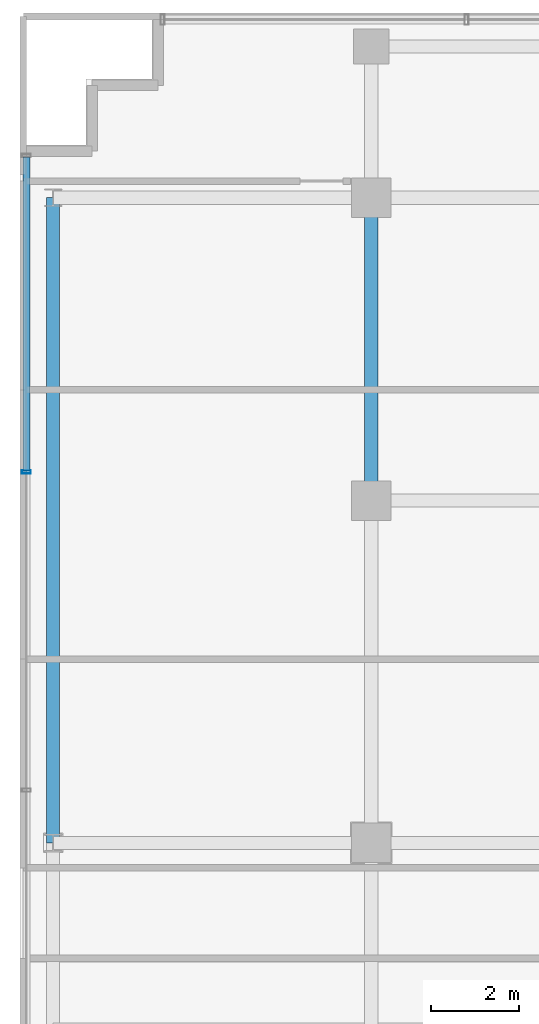
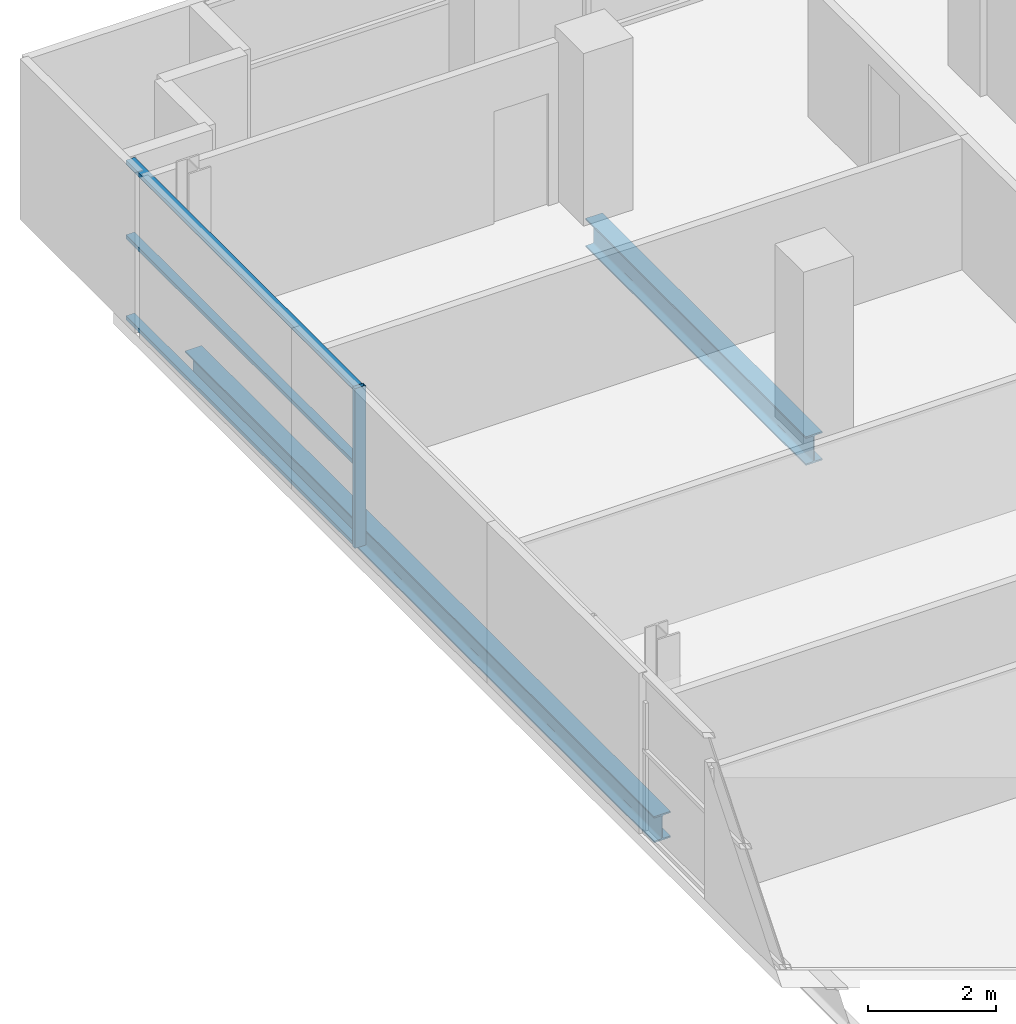
# One storey, part 9 of 27: 4 members, 2 beams, 1 element without a shape of its own.
"""IFC4 building model written with IfcOpenShell, lengths in metres."""

from ifc_helpers import new_model, si_unit, direction, frame, origin, origin_2d, place, context, subcontext, project, spatial, hollow_rectangle, i_section, extrude, source, transform, mapped, material, layer, layer_set, material_profile, profile_set, type_object, element, aggregate, save


model = new_model("IFC4")

# Units and contexts
model_context = context("Model", 3, precision=1e-05, world=origin(), true_north=direction((0.0, 1.0)))
body_context = subcontext(model_context, "Body", "Model", "MODEL_VIEW")
ifc_project = project(units=[si_unit("LENGTHUNIT", "METRE"), si_unit("AREAUNIT", "SQUARE_METRE"), si_unit("VOLUMEUNIT", "CUBIC_METRE"), si_unit("PLANEANGLEUNIT", "RADIAN"), si_unit("MASSUNIT", "GRAM", prefix="KILO")], contexts=[model_context])

# Site, building, storey
site_placement = place(None, origin())
site = spatial("IfcSite", under=ifc_project, at=site_placement, CompositionType="ELEMENT")
building_placement = place(site_placement, origin())
building = spatial("IfcBuilding", under=site, at=building_placement, Name="Zarnakvel Exchange Tower", CompositionType="ELEMENT")
storey_placement = place(building_placement, frame((0.0, 0.0, 106.60009765625)))
storey = spatial("IfcBuildingStorey", under=building, at=storey_placement, Name="L29", CompositionType="ELEMENT", Elevation=106.60009765625)

# Beams
ifc_material_1 = material(Name="Steel S355", Category="steel")
ifc_material_profile_1 = material_profile(ifc_material_1, i_section(OverallWidth=0.300048828125, OverallDepth=0.550048828125, WebThickness=0.014892578125, FlangeThickness=0.029052734375, FilletRadius=0.027099609375, at=origin_2d()))
ifc_profile_set_1 = profile_set([ifc_material_profile_1], Name="Steel S355")
beam_type_1 = type_object("IfcBeamType", Name="G-05", PredefinedType="BEAM", material=ifc_profile_set_1)
beam_1_placement = place(storey_placement, frame((-21.60009765625, 6.60009765625, -0.5), z_axis=(0.0, 1.0, 0.0), x_axis=(-1.0, 0.0, 0.0)))
element("IfcBeam", 1, at=beam_1_placement, inside=storey, type_object=beam_type_1, Name="L29 Tower N-S Frame Beam", PredefinedType="BEAM", context=body_context, shape_type="SweptSolid", body=[
    extrude(i_section(OverallWidth=0.300048828125, OverallDepth=0.550048828125, WebThickness=0.014892578125, FlangeThickness=0.029052734375, FilletRadius=0.027099609375, at=origin_2d()), origin(), (0.0, 0.0, 1.0), 6.89990234375),
])
ifc_material_profile_2 = material_profile(ifc_material_1, i_section(OverallWidth=0.300048828125, OverallDepth=0.5, WebThickness=0.014404296875, FlangeThickness=0.028076171875, FilletRadius=0.027099609375, at=origin_2d()))
ifc_profile_set_2 = profile_set([ifc_material_profile_2], Name="Steel S355")
beam_type_2 = type_object("IfcBeamType", Name="SP-02", PredefinedType="SPANDREL", material=ifc_profile_set_2)
beam_2_placement = place(storey_placement, frame((-28.85009765625, -1.199951171875, -0.47509765625), z_axis=(0.0, 1.0, 0.0), x_axis=(-1.0, 0.0, 0.0)))
element("IfcBeam", 2, at=beam_2_placement, inside=storey, type_object=beam_type_2, Name="L29 Tower N-S Frame Beam", PredefinedType="SPANDREL", context=body_context, shape_type="SweptSolid", body=[
    extrude(i_section(OverallWidth=0.300048828125, OverallDepth=0.5, WebThickness=0.014404296875, FlangeThickness=0.028076171875, FilletRadius=0.027099609375, at=origin_2d()), origin(), (0.0, 0.0, 1.0), 14.699951171875),
])

# Curtain wall, members
ifc_material_2 = material(Name="Architectural Bronze Anodised Aluminium", Category="aluminium")
ifc_layer = layer(ifc_material_2, 0.199951171875)
ifc_layer_set = layer_set([ifc_layer], Name="Architectural Bronze Anodised Aluminium")
curtain_wall_type = type_object("IfcCurtainWallType", Name="CW-04", PredefinedType="NOTDEFINED", material=ifc_layer_set)
curtain_wall_placement = place(storey_placement, origin())
curtain_wall = element("IfcCurtainWall", 3, at=curtain_wall_placement, inside=storey, type_object=curtain_wall_type, Name="L29 Curtain Wall CW-L29-W1 (CW-04)", PredefinedType="NOTDEFINED")
ifc_material_profile_3 = material_profile(ifc_material_2, hollow_rectangle(XDim=0.199951171875, YDim=0.074951171875, WallThickness=0.0048828125, at=origin_2d()))
ifc_profile_set_3 = profile_set([ifc_material_profile_3], Name="Architectural Bronze Anodised Aluminium")
member_type_1 = type_object("IfcMemberType", Name="CWM-04", PredefinedType="MULLION", material=ifc_profile_set_3)
shared_shape_1 = source(origin(), body_context, "Body", "SweptSolid", [
    extrude(hollow_rectangle(XDim=0.199951171875, YDim=0.074951171875, WallThickness=0.0048828125, at=origin_2d()), origin(), (0.0, 0.0, 1.0), 3.054931640625),
])
member_1_placement = place(storey_placement, frame((-29.4599609375, 7.25, 0.0), z_axis=(0.0, 0.0, 1.0), x_axis=(-1.0, 0.0, 0.0)))
member_1 = element("IfcMember", 4, at=member_1_placement, type_object=member_type_1, Name="CW-04 mullion 4", PredefinedType="MULLION", context=body_context, shape_type="MappedRepresentation", body=[
    mapped(shared_shape_1, transform((0.0, 0.0, 0.0), x_axis=(1.0, 0.0, 0.0), y_axis=(0.0, 1.0, 0.0), z_axis=(0.0, 0.0, 1.0), scale=1.0)),
])
ifc_material_profile_4 = material_profile(ifc_material_2, hollow_rectangle(XDim=0.159912109375, YDim=0.074951171875, WallThickness=0.00390625, at=origin_2d()))
ifc_profile_set_4 = profile_set([ifc_material_profile_4], Name="Architectural Bronze Anodised Aluminium")
member_type_2 = type_object("IfcMemberType", Name="CWT-04", PredefinedType="USERDEFINED", material=ifc_profile_set_4)
shared_shape_2 = source(origin(), body_context, "Body", "SweptSolid", [
    extrude(hollow_rectangle(XDim=0.159912109375, YDim=0.074951171875, WallThickness=0.00390625, at=origin_2d()), origin(), (0.0, 0.0, 1.0), 7.137451171875),
])
member_2_placement = place(storey_placement, frame((-29.4599609375, 7.28759765625, 0.037353515625), z_axis=(0.0, 1.0, 0.0), x_axis=(-1.0, 0.0, 0.0)))
member_2 = element("IfcMember", 5, at=member_2_placement, type_object=member_type_2, Name="CW-04 transom 4.1", ObjectType="TRANSOM", PredefinedType="USERDEFINED", context=body_context, shape_type="MappedRepresentation", body=[
    mapped(shared_shape_2, transform((0.0, 0.0, 0.0), x_axis=(1.0, 0.0, 0.0), y_axis=(0.0, 1.0, 0.0), z_axis=(0.0, 0.0, 1.0), scale=1.0)),
])
member_3_placement = place(storey_placement, frame((-29.4599609375, 7.28759765625, 1.588623046875), z_axis=(0.0, 1.0, 0.0), x_axis=(-1.0, 0.0, 0.0)))
member_3 = element("IfcMember", 6, at=member_3_placement, type_object=member_type_2, Name="CW-04 transom 4.2", ObjectType="TRANSOM", PredefinedType="USERDEFINED", context=body_context, shape_type="MappedRepresentation", body=[
    mapped(shared_shape_2, transform((0.0, 0.0, 0.0), x_axis=(1.0, 0.0, 0.0), y_axis=(0.0, 1.0, 0.0), z_axis=(0.0, 0.0, 1.0), scale=1.0)),
])
member_4_placement = place(storey_placement, frame((-29.4599609375, 7.28759765625, 3.017333984375), z_axis=(0.0, 1.0, 0.0), x_axis=(-1.0, 0.0, 0.0)))
member_4 = element("IfcMember", 7, at=member_4_placement, type_object=member_type_2, Name="CW-04 transom 4.3", ObjectType="TRANSOM", PredefinedType="USERDEFINED", context=body_context, shape_type="MappedRepresentation", body=[
    mapped(shared_shape_2, transform((0.0, 0.0, 0.0), x_axis=(1.0, 0.0, 0.0), y_axis=(0.0, 1.0, 0.0), z_axis=(0.0, 0.0, 1.0), scale=1.0)),
])
aggregate(curtain_wall, [member_1, member_2, member_3, member_4])

save(model, "model.ifc")
